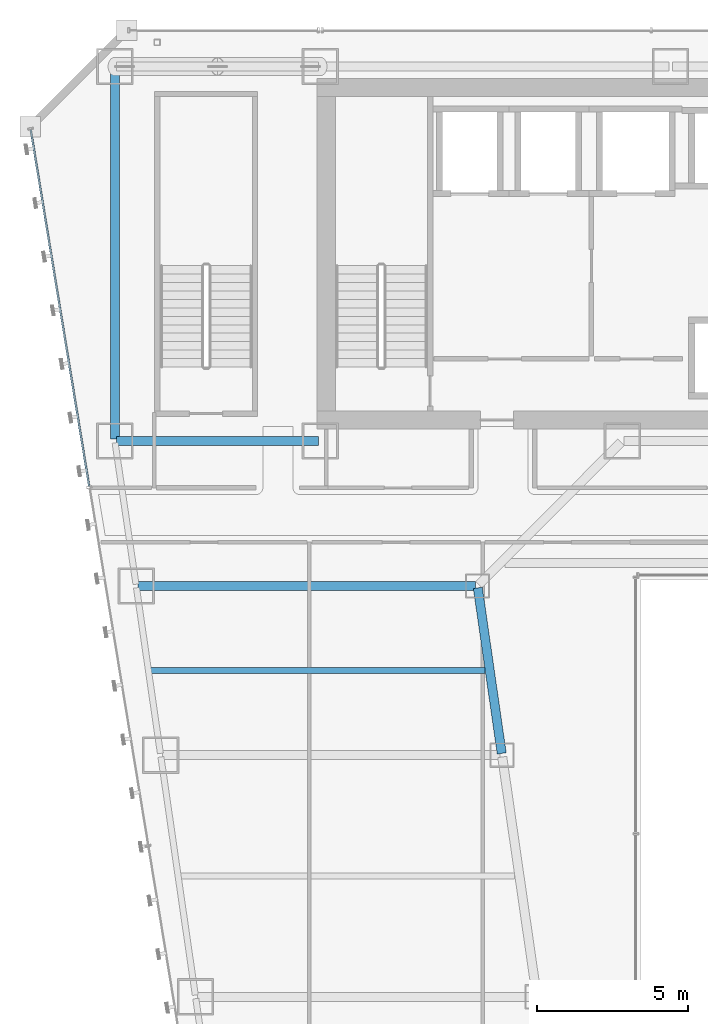
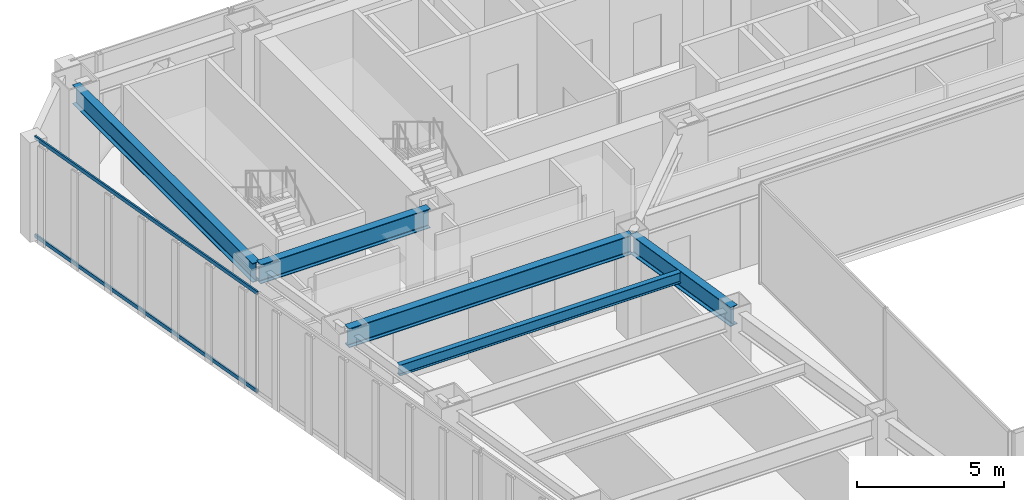
# One storey, part 23 of 49: 5 beams, 2 members, 1 element without a shape of its own.
"""IFC4 building model written with IfcOpenShell, lengths in metres."""

from ifc_helpers import new_model, si_unit, direction, frame, origin, origin_2d, place, context, subcontext, project, spatial, hollow_rectangle, i_section, extrude, material, material_profile, profile_set, type_object, element, aggregate, save


model = new_model("IFC4")

# Units and contexts
model_context = context("Model", 3, precision=1e-05, world=origin(), true_north=direction((0.0, 1.0)))
body_context = subcontext(model_context, "Body", "Model", "MODEL_VIEW")
ifc_project = project(units=[si_unit("LENGTHUNIT", "METRE"), si_unit("AREAUNIT", "SQUARE_METRE"), si_unit("VOLUMEUNIT", "CUBIC_METRE"), si_unit("PLANEANGLEUNIT", "RADIAN"), si_unit("MASSUNIT", "GRAM", prefix="KILO")], contexts=[model_context])

# Site, building, storey
site_placement = place(None, origin())
site = spatial("IfcSite", under=ifc_project, at=site_placement, CompositionType="ELEMENT")
building_placement = place(site_placement, origin())
building = spatial("IfcBuilding", under=site, at=building_placement, Name="Saevonmaru Cultural Tower", CompositionType="ELEMENT")
storey_placement = place(building_placement, frame((0.0, 0.0, 73.60009765625)))
storey = spatial("IfcBuildingStorey", under=building, at=storey_placement, Name="L15", CompositionType="ELEMENT", Elevation=73.60009765625)

# Beams
ifc_material_1 = material(Name="Steel SM420", Category="steel")
ifc_material_profile_1 = material_profile(ifc_material_1, i_section(OverallWidth=0.300048828125, OverallDepth=0.800048828125, WebThickness=0.013916015625, FlangeThickness=0.02587890625, FilletRadius=0.028076171875, at=origin_2d()), Name="H-800x300x14x26")
ifc_profile_set_1 = profile_set([ifc_material_profile_1], Name="Steel SM420")
beam_type_1 = type_object("IfcBeamType", Name="BM-G-H800", PredefinedType="BEAM", material=ifc_profile_set_1)
beam_1_placement = place(storey_placement, frame((6.860107421875, 42.39990234375, 3.75), z_axis=(1.0, 0.0, 0.0), x_axis=(0.0, 1.0, 0.0)))
element("IfcBeam", 1, at=beam_1_placement, inside=storey, type_object=beam_type_1, Name="L15 Core South Girder 1", PredefinedType="BEAM", context=body_context, shape_type="SweptSolid", body=[
    extrude(i_section(OverallWidth=0.300048828125, OverallDepth=0.800048828125, WebThickness=0.013916015625, FlangeThickness=0.02587890625, FilletRadius=0.028076171875, at=origin_2d()), origin(), (0.0, 0.0, 1.0), 6.679931640625),
])
beam_2_placement = place(storey_placement, frame((6.800048828125, 54.739990234375, 3.75), z_axis=(0.0, -1.0, 0.0), x_axis=(1.0, 0.0, 0.0)))
element("IfcBeam", 2, at=beam_2_placement, inside=storey, type_object=beam_type_1, Name="L15 Spine Transverse Girder W", PredefinedType="BEAM", context=body_context, shape_type="SweptSolid", body=[
    extrude(i_section(OverallWidth=0.300048828125, OverallDepth=0.800048828125, WebThickness=0.013916015625, FlangeThickness=0.02587890625, FilletRadius=0.028076171875, at=origin_2d()), origin(), (0.0, 0.0, 1.0), 12.280029296875),
])
beam_3_placement = place(storey_placement, frame((19.6083984375, 32.059326171875, 3.75), z_axis=(-0.142964121327, 0.989727871697, 0.0), x_axis=(-0.989727871697, -0.142964121327, 0.0)))
element("IfcBeam", 3, at=beam_3_placement, inside=storey, type_object=beam_type_1, Name="L15 West Atrium Girder 5", PredefinedType="BEAM", context=body_context, shape_type="SweptSolid", body=[
    extrude(i_section(OverallWidth=0.300048828125, OverallDepth=0.800048828125, WebThickness=0.013916015625, FlangeThickness=0.02587890625, FilletRadius=0.028076171875, at=origin_2d()), origin(), (0.0, 0.0, 1.0), 5.5380859375),
])
beam_4_placement = place(storey_placement, frame((7.568115234375, 37.60009765625, 3.75), z_axis=(1.0, 0.0, 0.0), x_axis=(0.0, 1.0, 0.0)))
element("IfcBeam", 4, at=beam_4_placement, inside=storey, type_object=beam_type_1, Name="L15 West Wing Transverse Girder 6", PredefinedType="BEAM", context=body_context, shape_type="SweptSolid", body=[
    extrude(i_section(OverallWidth=0.300048828125, OverallDepth=0.800048828125, WebThickness=0.013916015625, FlangeThickness=0.02587890625, FilletRadius=0.028076171875, at=origin_2d()), origin(), (0.0, 0.0, 1.0), 11.179931640625),
])
ifc_material_2 = material(Name="Steel SM355", Category="steel")
ifc_material_profile_2 = material_profile(ifc_material_2, i_section(OverallWidth=0.199951171875, OverallDepth=0.449951171875, WebThickness=0.009033203125, FlangeThickness=0.013916015625, FilletRadius=0.01806640625, at=origin_2d()), Name="H-450x200x9x14")
ifc_profile_set_2 = profile_set([ifc_material_profile_2], Name="Steel SM355")
beam_type_2 = type_object("IfcBeamType", Name="BM-J-H450", PredefinedType="JOIST", material=ifc_profile_set_2)
beam_5_placement = place(storey_placement, frame((7.972412109375, 34.800048828125, 3.9248046875), z_axis=(1.0, 0.0, 0.0), x_axis=(0.0, 1.0, 0.0)))
element("IfcBeam", 5, at=beam_5_placement, inside=storey, type_object=beam_type_2, Name="L15 West Wing Floor Joist 5", PredefinedType="JOIST", context=body_context, shape_type="SweptSolid", body=[
    extrude(i_section(OverallWidth=0.199951171875, OverallDepth=0.449951171875, WebThickness=0.009033203125, FlangeThickness=0.013916015625, FilletRadius=0.01806640625, at=origin_2d()), origin(), (0.0, 0.0, 1.0), 11.08203125),
])

# Curtain wall, members
ifc_material_3 = material(Name="Satin Bronze Anodised Aluminium", Category="aluminium")
curtain_wall_type = type_object("IfcCurtainWallType", Name="CW-TYP-A", PredefinedType="NOTDEFINED", material=ifc_material_3)
curtain_wall_placement = place(storey_placement, origin())
curtain_wall = element("IfcCurtainWall", 6, at=curtain_wall_placement, inside=storey, type_object=curtain_wall_type, Name="L15 Unitised Curtain Wall E12", PredefinedType="NOTDEFINED")
ifc_material_profile_3 = material_profile(ifc_material_3, hollow_rectangle(XDim=0.06494140625, YDim=0.14990234375, WallThickness=0.00390625, at=origin_2d()), Name="ALU-TRAN-150x65x4")
ifc_profile_set_3 = profile_set([ifc_material_profile_3], Name="Satin Bronze Anodised Aluminium")
member_type = type_object("IfcMemberType", Name="TR-CW-150x65", PredefinedType="USERDEFINED", material=ifc_profile_set_3)
member_1_placement = place(storey_placement, frame((4.014892578125, 52.708740234375, 0.032470703125), z_axis=(0.161724530373, -0.986835941925, 0.0), x_axis=(0.986835941925, 0.161724530373, 0.0)))
member_1 = element("IfcMember", 7, at=member_1_placement, type_object=member_type, Name="CW-TW-L15-E12 transom 1.1", ObjectType="TRANSOM", PredefinedType="USERDEFINED", context=body_context, shape_type="SweptSolid", body=[
    extrude(hollow_rectangle(XDim=0.06494140625, YDim=0.14990234375, WallThickness=0.00390625, at=origin_2d()), origin(), (0.0, 0.0, 1.0), 11.963623046875),
])
member_2_placement = place(storey_placement, frame((4.014892578125, 52.708740234375, 4.117431640625), z_axis=(0.161724530373, -0.986835941925, 0.0), x_axis=(0.986835941925, 0.161724530373, 0.0)))
member_2 = element("IfcMember", 8, at=member_2_placement, type_object=member_type, Name="CW-TW-L15-E12 transom 1.2", ObjectType="TRANSOM", PredefinedType="USERDEFINED", context=body_context, shape_type="SweptSolid", body=[
    extrude(hollow_rectangle(XDim=0.06494140625, YDim=0.14990234375, WallThickness=0.00390625, at=origin_2d()), origin(), (0.0, 0.0, 1.0), 11.963623046875),
])
aggregate(curtain_wall, [member_1, member_2])

save(model, "model.ifc")
